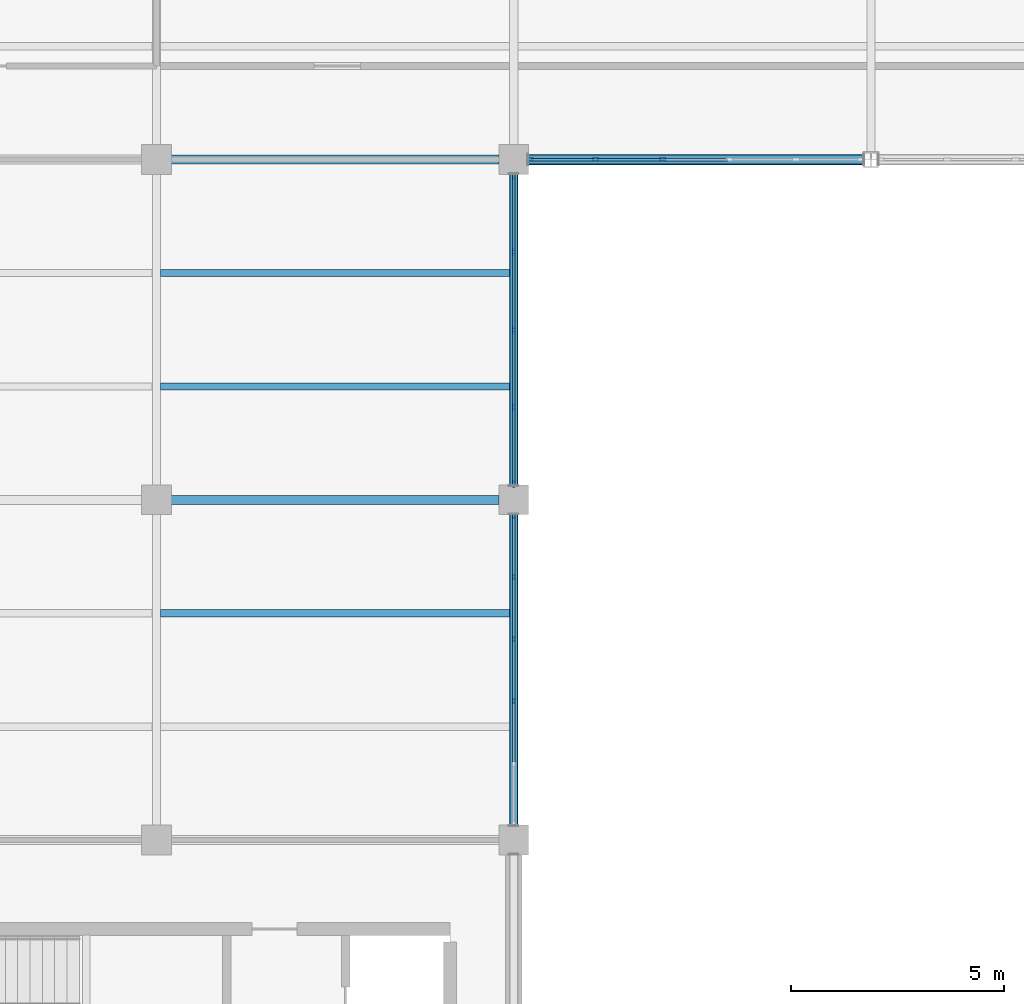
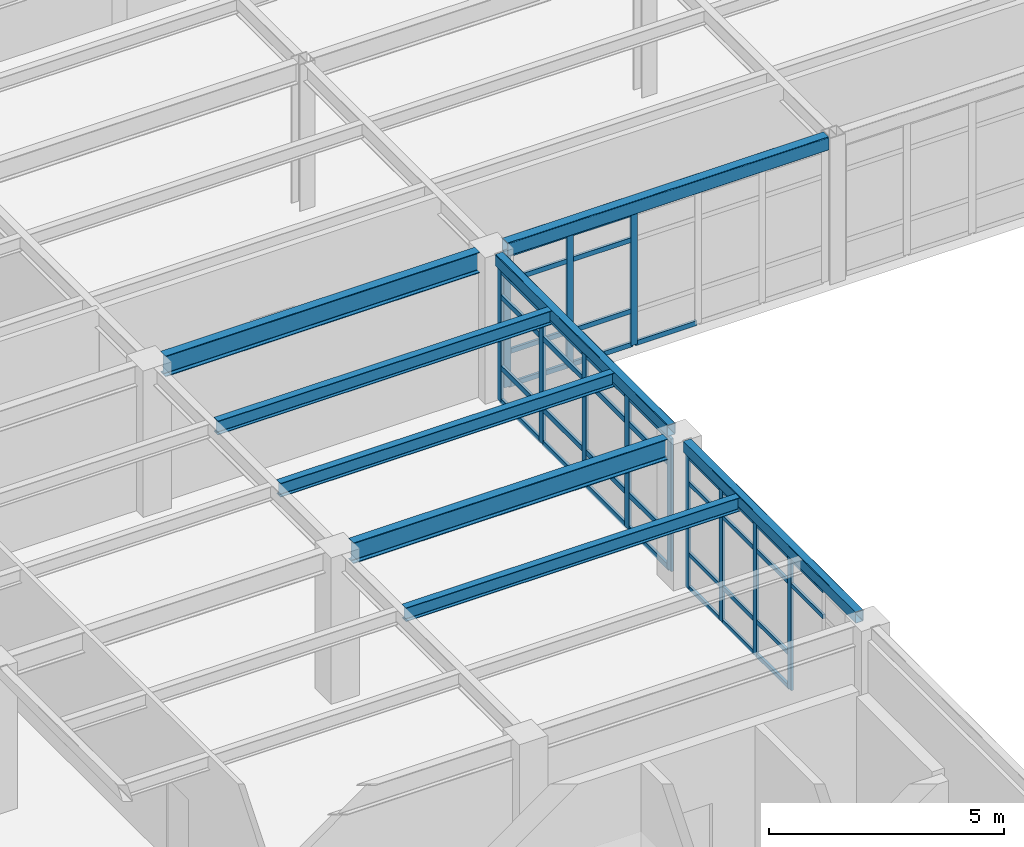
# One storey, part 48 of 138: 51 members, 8 beams, 3 elements without a shape of their own.
"""IFC4 building model written with IfcOpenShell, lengths in metres."""

import ifcopenshell
import ifcopenshell.guid

model = None  # the IFC model being written
_history = None  # IfcOwnerHistory: only IFC2X3 demands one
_inside = {}  # id of a spatial element -> (the spatial element, [elements in it])
_under = {}  # id of a project, library or spatial element -> (it, [spatial elements below it])
_declared = {}  # id of a project -> (the project, [libraries it declares])
_typed = {}  # id of a type object -> (the type object, [elements of that type])
_made_of = {}  # id of a material, layer set ... -> (it, [elements and type objects made of it])


def new_model(schema):
    """Start an empty IFC model of exactly this schema.

    Asked for "IFC4X3", IfcOpenShell would pick the latest addendum, in which some entities
    have other attributes; the version numbers below select the first issue.
    IFC2X3 requires an IfcOwnerHistory on every rooted entity: one is made here for all.
    """
    global model, _history
    if schema == "IFC4X3":
        model = ifcopenshell.file(schema_version=(4, 3, 0, 0))
    else:
        model = ifcopenshell.file(schema=schema)
    _inside.clear()
    _under.clear()
    _declared.clear()
    _typed.clear()
    _made_of.clear()
    _history = None
    if model.schema == "IFC2X3":
        org = make("IfcOrganization", Name="unknown")
        user = make(
            "IfcPersonAndOrganization",
            ThePerson=make("IfcPerson", FamilyName="unknown"),
            TheOrganization=org,
        )
        app = make(
            "IfcApplication",
            ApplicationDeveloper=org,
            Version="unknown",
            ApplicationFullName="unknown",
            ApplicationIdentifier="unknown",
        )
        _history = make(
            "IfcOwnerHistory",
            OwningUser=user,
            OwningApplication=app,
            ChangeAction="ADDED",
            CreationDate=0,
        )
    return model


def make(cls, **values):
    """One entity of the class cls with the attributes given. An attribute that is None is left unset."""
    return model.create_entity(
        cls, **{name: value for name, value in values.items() if value is not None}
    )


def rooted(cls, **values):
    """An entity with a GlobalId (a new one), such as an element, a storey or a relation."""
    return make(cls, GlobalId=ifcopenshell.guid.new(), OwnerHistory=_history, **values)


def si_unit(unit_type, name, prefix=None):
    """IfcSIUnit, for example si_unit("LENGTHUNIT", "METRE", prefix="MILLI")."""
    return make("IfcSIUnit", UnitType=unit_type, Prefix=prefix, Name=name)


def assignment(units):
    """IfcUnitAssignment: the units of a project."""
    return None if units is None else make("IfcUnitAssignment", Units=units)


def point(xyz):
    """IfcCartesianPoint."""
    return None if xyz is None else make("IfcCartesianPoint", Coordinates=xyz)


def direction(xyz):
    """IfcDirection."""
    return None if xyz is None else make("IfcDirection", DirectionRatios=xyz)


def frame(location, z_axis=None, x_axis=None):
    """IfcAxis2Placement3D, a coordinate frame: its origin and axes. An axis left out is left unset."""
    return make(
        "IfcAxis2Placement3D",
        Location=point(location),
        Axis=direction(z_axis),
        RefDirection=direction(x_axis),
    )


def frame_2d(location, x_axis=None):
    """IfcAxis2Placement2D, a coordinate frame in the plane: its origin and x axis."""
    return make(
        "IfcAxis2Placement2D", Location=point(location), RefDirection=direction(x_axis)
    )


def origin():
    """The frame at (0, 0, 0) with its axes left unset."""
    return frame((0.0, 0.0, 0.0))


def origin_2d():
    """The frame at (0, 0) in the plane with its x axis left unset."""
    return frame_2d((0.0, 0.0))


def place(relative_to, where):
    """IfcLocalPlacement: puts the frame where relative to a parent placement (None: the world)."""
    return make(
        "IfcLocalPlacement", PlacementRelTo=relative_to, RelativePlacement=where
    )


def context(
    kind, dimensions, precision=None, world=None, true_north=None, identifier=None
):
    """IfcGeometricRepresentationContext, for example the 3D "Model" context."""
    return make(
        "IfcGeometricRepresentationContext",
        ContextIdentifier=identifier,
        ContextType=kind,
        CoordinateSpaceDimension=dimensions,
        Precision=precision,
        WorldCoordinateSystem=world,
        TrueNorth=true_north,
    )


def subcontext(parent, identifier, kind, view, scale=None):
    """IfcGeometricRepresentationSubContext, for example "Body" below "Model"."""
    return make(
        "IfcGeometricRepresentationSubContext",
        ContextIdentifier=identifier,
        ContextType=kind,
        ParentContext=parent,
        TargetScale=scale,
        TargetView=view,
    )


def project(units=None, contexts=None):
    """IfcProject with its units and contexts."""
    return rooted(
        "IfcProject",
        Name="project",
        RepresentationContexts=contexts,
        UnitsInContext=assignment(units),
    )


def spatial(cls, under=None, at=None, **own):
    """A site, building, storey or space (cls), placed at a placement, below another one or the project."""
    s = rooted(cls, ObjectPlacement=at, **own)
    if under is not None:
        _under.setdefault(under.id(), (under, []))[1].append(s)
    return s


def profile(cls, at=None, kind="AREA", **sizes):
    """A parametric profile (cls). Its sizes go by their IFC names, for example OverallWidth=200.0."""
    return make(cls, ProfileType=kind, Position=at, **sizes)


def rectangle(**sizes):
    """IfcRectangleProfileDef."""
    return profile("IfcRectangleProfileDef", **sizes)


def hollow_rectangle(**sizes):
    """IfcRectangleHollowProfileDef."""
    return profile("IfcRectangleHollowProfileDef", **sizes)


def i_section(**sizes):
    """IfcIShapeProfileDef."""
    return profile("IfcIShapeProfileDef", **sizes)


def extrude(swept, where, along, depth):
    """IfcExtrudedAreaSolid: the profile swept, set in the frame where, extruded along a direction by depth."""
    return make(
        "IfcExtrudedAreaSolid",
        SweptArea=swept,
        Position=where,
        ExtrudedDirection=direction(along),
        Depth=depth,
    )


def shape(context_of_items, identifier, shape_type, items):
    """IfcShapeRepresentation: the items that make up one representation, for example the "Body"."""
    return make(
        "IfcShapeRepresentation",
        ContextOfItems=context_of_items,
        RepresentationIdentifier=identifier,
        RepresentationType=shape_type,
        Items=items,
    )


def material(Name=None, Category=None):
    """IfcMaterial."""
    return make("IfcMaterial", Name=Name, Category=Category)


def layer(
    of_material, thickness, ventilated=None, Name=None, Category=None, Priority=None
):
    """IfcMaterialLayer: one layer of a wall or slab, of a material (None: an air gap)."""
    return make(
        "IfcMaterialLayer",
        Material=of_material,
        LayerThickness=thickness,
        IsVentilated=ventilated,
        Name=Name,
        Category=Category,
        Priority=Priority,
    )


def layer_set(layers, Name=None):
    """IfcMaterialLayerSet."""
    return make("IfcMaterialLayerSet", MaterialLayers=layers, LayerSetName=Name)


def material_profile(
    of_material, cross_section, Name=None, Category=None, Priority=None
):
    """IfcMaterialProfile: a cross section and its material."""
    return make(
        "IfcMaterialProfile",
        Name=Name,
        Material=of_material,
        Profile=cross_section,
        Priority=Priority,
        Category=Category,
    )


def profile_set(profiles, Name=None, composite=None):
    """IfcMaterialProfileSet."""
    return make(
        "IfcMaterialProfileSet",
        Name=Name,
        MaterialProfiles=profiles,
        CompositeProfile=composite,
    )


def made_of(thing, what):
    """Note that an element or type object is made of a material, layer set ...; save() writes the relation."""
    if what is not None:
        _made_of.setdefault(what.id(), (what, []))[1].append(thing)
    return thing


def type_object(cls, material=None, **own):
    """A type object (cls), such as IfcWallType, which elements share."""
    return made_of(rooted(cls, **own), material)


def element(
    cls,
    number,
    at=None,
    inside=None,
    cuts=None,
    type_object=None,
    material=None,
    context=None,
    identifier="Body",
    shape_type=None,
    held_by="IfcProductDefinitionShape",
    body=None,
    shapes=None,
    **own,
):
    """One element of the class cls, such as IfcWall. Its Tag is "e" and its number.

    at: its placement. inside: the storey or other place that contains it. cuts: it is an
    opening in that element (IfcRelVoidsElement). A single representation is given by context,
    identifier, shape_type and body (its items); several are given by shapes. held_by: the class
    of the entity that holds the representations. save() writes the other relations.
    """
    e = rooted(cls, Tag="e%d" % number, ObjectPlacement=at, **own)
    if body is not None:
        shapes = [shape(context, identifier, shape_type, body)]
    if shapes is not None:
        e.Representation = make(held_by, Representations=shapes)
    if inside is not None:
        _inside.setdefault(inside.id(), (inside, []))[1].append(e)
    if cuts is not None:
        rooted(
            "IfcRelVoidsElement", RelatingBuildingElement=cuts, RelatedOpeningElement=e
        )
    if type_object is not None:
        _typed.setdefault(type_object.id(), (type_object, []))[1].append(e)
    return made_of(e, material)


def aggregate(whole, parts):
    """IfcRelAggregates: a whole, such as a stair, and the parts it consists of."""
    return rooted("IfcRelAggregates", RelatingObject=whole, RelatedObjects=parts)


def save(model, path):
    """Write the relations noted so far, then the file.

    IfcRelAggregates (storeys below a building ...), IfcRelContainedInSpatialStructure (elements
    in a storey), IfcRelDefinesByType, IfcRelAssociatesMaterial and IfcRelDeclares: one each for
    every whole, place, type object, material and project.
    """
    for whole, parts in _under.values():
        aggregate(whole, parts)
    for where, things in _inside.values():
        rooted(
            "IfcRelContainedInSpatialStructure",
            RelatedElements=things,
            RelatingStructure=where,
        )
    for kind, things in _typed.values():
        rooted("IfcRelDefinesByType", RelatedObjects=things, RelatingType=kind)
    for what, things in _made_of.values():
        rooted("IfcRelAssociatesMaterial", RelatedObjects=things, RelatingMaterial=what)
    for by, libraries in _declared.values():
        rooted("IfcRelDeclares", RelatingContext=by, RelatedDefinitions=libraries)
    model.write(path)


model = new_model("IFC4")

# Units and contexts
model_context = context("Model", 3, precision=1e-05, world=origin(), true_north=direction((0.0, 1.0)))
body_context = subcontext(model_context, "Body", "Model", "MODEL_VIEW")
ifc_project = project(units=[si_unit("LENGTHUNIT", "METRE"), si_unit("AREAUNIT", "SQUARE_METRE"), si_unit("VOLUMEUNIT", "CUBIC_METRE"), si_unit("PLANEANGLEUNIT", "RADIAN"), si_unit("MASSUNIT", "GRAM", prefix="KILO")], contexts=[model_context])

# Site, building, storey
site_placement = place(None, origin())
site = spatial("IfcSite", under=ifc_project, at=site_placement, CompositionType="ELEMENT")
building_placement = place(site_placement, origin())
building = spatial("IfcBuilding", under=site, at=building_placement, Name="Kranzveld Transit Interchange", CompositionType="ELEMENT")
storey_placement = place(building_placement, frame((0.0, 0.0, 5.43994140625)))
storey = spatial("IfcBuildingStorey", under=building, at=storey_placement, Name="L01", CompositionType="ELEMENT", Elevation=5.43994140625)

# Curtain wall, members
ifc_material_1 = material(Name="Bronze-anodised thermally broken aluminium", Category="aluminium")
ifc_layer_1 = layer(ifc_material_1, 0.14990234375)
ifc_layer_set_1 = layer_set([ifc_layer_1], Name="Bronze-anodised thermally broken aluminium")
curtain_wall_type_1 = type_object("IfcCurtainWallType", Name="Public Passage Clerestory Screen CW-4", PredefinedType="USERDEFINED", material=ifc_layer_set_1)
curtain_wall_1_placement = place(storey_placement, origin())
curtain_wall_1 = element("IfcCurtainWall", 1, at=curtain_wall_1_placement, inside=storey, type_object=curtain_wall_type_1, Name="L01 Curtain Wall 15/L-15/M", ObjectType="CURTAIN WALL", PredefinedType="USERDEFINED")
ifc_material_2 = material(Name="Bronze-anodised thermally broken aluminium", Category="aluminium")
ifc_material_profile_1 = material_profile(ifc_material_2, rectangle(XDim=0.06005859375, YDim=0.14990234375, at=origin_2d()), Name="ALU MULLION 60x150")
ifc_profile_set_1 = profile_set([ifc_material_profile_1], Name="Bronze-anodised thermally broken aluminium")
member_type_1 = type_object("IfcMemberType", Name="Curtain Wall Mullion 60x150 Alu", PredefinedType="MULLION", material=ifc_profile_set_1)
member_1_placement = place(storey_placement, frame((117.60009765625, 83.27001953125, 0.0), z_axis=(0.0, 0.0, 1.0), x_axis=(-1.0, 0.0, 0.0)))
member_1 = element("IfcMember", 2, at=member_1_placement, type_object=member_type_1, Name="CW-4 mullion 3", PredefinedType="MULLION", context=body_context, shape_type="SweptSolid", body=[
    extrude(rectangle(XDim=0.06005859375, YDim=0.14990234375, at=origin_2d()), origin(), (0.0, 0.0, 1.0), 3.442138671875),
])
member_2_placement = place(storey_placement, frame((117.60009765625, 84.72998046875, 0.0), z_axis=(0.0, 0.0, 1.0), x_axis=(-1.0, 0.0, 0.0)))
member_2 = element("IfcMember", 3, at=member_2_placement, type_object=member_type_1, Name="CW-4 mullion 4", PredefinedType="MULLION", context=body_context, shape_type="SweptSolid", body=[
    extrude(rectangle(XDim=0.06005859375, YDim=0.14990234375, at=origin_2d()), origin(), (0.0, 0.0, 1.0), 3.442138671875),
])
member_3_placement = place(storey_placement, frame((117.60009765625, 86.18994140625, 0.0), z_axis=(0.0, 0.0, 1.0), x_axis=(-1.0, 0.0, 0.0)))
member_3 = element("IfcMember", 4, at=member_3_placement, type_object=member_type_1, Name="CW-4 mullion 5", PredefinedType="MULLION", context=body_context, shape_type="SweptSolid", body=[
    extrude(rectangle(XDim=0.06005859375, YDim=0.14990234375, at=origin_2d()), origin(), (0.0, 0.0, 1.0), 3.442138671875),
])
member_4_placement = place(storey_placement, frame((117.60009765625, 87.6201171875, 0.0), z_axis=(0.0, 0.0, 1.0), x_axis=(-1.0, 0.0, 0.0)))
member_4 = element("IfcMember", 5, at=member_4_placement, type_object=member_type_1, Name="CW-4 mullion 6", PredefinedType="MULLION", context=body_context, shape_type="SweptSolid", body=[
    extrude(rectangle(XDim=0.06005859375, YDim=0.14990234375, at=origin_2d()), origin(), (0.0, 0.0, 1.0), 3.442138671875),
])

ifc_material_3 = material(Name="Bronze-anodised thermally broken aluminium", Category="aluminium")
ifc_layer_2 = layer(ifc_material_3, 0.155029296875)
ifc_layer_set_2 = layer_set([ifc_layer_2], Name="Bronze-anodised thermally broken aluminium")
curtain_wall_type_2 = type_object("IfcCurtainWallType", Name="Operations Courtyard Glazed Screen CW-6", PredefinedType="USERDEFINED", material=ifc_layer_set_2)
curtain_wall_2_placement = place(storey_placement, origin())
curtain_wall_2 = element("IfcCurtainWall", 6, at=curtain_wall_2_placement, inside=storey, type_object=curtain_wall_type_2, Name="L01 Curtain Wall 15/N-16/N", ObjectType="CURTAIN WALL", PredefinedType="USERDEFINED")
ifc_material_4 = material(Name="Bronze-anodised thermally broken aluminium", Category="aluminium")
ifc_material_profile_2 = material_profile(ifc_material_4, rectangle(XDim=0.06494140625, YDim=0.1650390625, at=origin_2d()), Name="ALU MULLION 65x165")
ifc_profile_set_2 = profile_set([ifc_material_profile_2], Name="Bronze-anodised thermally broken aluminium")
member_type_2 = type_object("IfcMemberType", Name="Curtain Wall Mullion 65x165 Alu", PredefinedType="MULLION", material=ifc_profile_set_2)
member_5_placement = place(storey_placement, frame((117.982421875, 96.0, 0.0), z_axis=(0.0, 0.0, 1.0), x_axis=(0.0, 1.0, 0.0)))
member_5 = element("IfcMember", 7, at=member_5_placement, type_object=member_type_2, Name="CW-6 mullion 1", PredefinedType="MULLION", context=body_context, shape_type="SweptSolid", body=[
    extrude(rectangle(XDim=0.06494140625, YDim=0.1650390625, at=origin_2d()), origin(), (0.0, 0.0, 1.0), 3.449951171875),
])
member_6_placement = place(storey_placement, frame((119.5224609375, 96.0, 0.0), z_axis=(0.0, 0.0, 1.0), x_axis=(0.0, 1.0, 0.0)))
member_6 = element("IfcMember", 8, at=member_6_placement, type_object=member_type_2, Name="CW-6 mullion 2", PredefinedType="MULLION", context=body_context, shape_type="SweptSolid", body=[
    extrude(rectangle(XDim=0.06494140625, YDim=0.1650390625, at=origin_2d()), origin(), (0.0, 0.0, 1.0), 3.449951171875),
])
member_7_placement = place(storey_placement, frame((121.094970703125, 96.0, 0.0), z_axis=(0.0, 0.0, 1.0), x_axis=(0.0, 1.0, 0.0)))
member_7 = element("IfcMember", 9, at=member_7_placement, type_object=member_type_2, Name="CW-6 mullion 3", PredefinedType="MULLION", context=body_context, shape_type="SweptSolid", body=[
    extrude(rectangle(XDim=0.06494140625, YDim=0.1650390625, at=origin_2d()), origin(), (0.0, 0.0, 1.0), 3.449951171875),
])

ifc_material_5 = material(Name="Bronze-anodised thermally broken aluminium", Category="aluminium")
ifc_layer_3 = layer(ifc_material_5, 0.18505859375)
ifc_layer_set_3 = layer_set([ifc_layer_3], Name="Bronze-anodised thermally broken aluminium")
curtain_wall_type_3 = type_object("IfcCurtainWallType", Name="Control Crown Observation Facade CW-5", PredefinedType="USERDEFINED", material=ifc_layer_set_3)
curtain_wall_3_placement = place(storey_placement, origin())
curtain_wall_3 = element("IfcCurtainWall", 10, at=curtain_wall_3_placement, inside=storey, type_object=curtain_wall_type_3, Name="L01 Curtain Wall 15/M-15/N", ObjectType="CURTAIN WALL", PredefinedType="USERDEFINED")
ifc_material_6 = material(Name="Bronze-anodised thermally broken aluminium", Category="aluminium")
ifc_material_profile_3 = material_profile(ifc_material_6, rectangle(XDim=0.06494140625, YDim=0.179931640625, at=origin_2d()), Name="ALU MULLION 65x180")
ifc_profile_set_3 = profile_set([ifc_material_profile_3], Name="Bronze-anodised thermally broken aluminium")
member_type_3 = type_object("IfcMemberType", Name="Curtain Wall Mullion 65x180 Alu", PredefinedType="MULLION", material=ifc_profile_set_3)
member_8_placement = place(storey_placement, frame((117.60009765625, 88.382568359375, 0.0), z_axis=(0.0, 0.0, 1.0), x_axis=(-1.0, 0.0, 0.0)))
member_8 = element("IfcMember", 11, at=member_8_placement, type_object=member_type_3, Name="CW-5 mullion 1", PredefinedType="MULLION", context=body_context, shape_type="SweptSolid", body=[
    extrude(rectangle(XDim=0.06494140625, YDim=0.179931640625, at=origin_2d()), origin(), (0.0, 0.0, 1.0), 3.442138671875),
])
member_9_placement = place(storey_placement, frame((117.60009765625, 90.175048828125, 0.0), z_axis=(0.0, 0.0, 1.0), x_axis=(-1.0, 0.0, 0.0)))
member_9 = element("IfcMember", 12, at=member_9_placement, type_object=member_type_3, Name="CW-5 mullion 2", PredefinedType="MULLION", context=body_context, shape_type="SweptSolid", body=[
    extrude(rectangle(XDim=0.06494140625, YDim=0.179931640625, at=origin_2d()), origin(), (0.0, 0.0, 1.0), 3.442138671875),
])
member_10_placement = place(storey_placement, frame((117.60009765625, 92.0, 0.0), z_axis=(0.0, 0.0, 1.0), x_axis=(-1.0, 0.0, 0.0)))
member_10 = element("IfcMember", 13, at=member_10_placement, type_object=member_type_3, Name="CW-5 mullion 3", PredefinedType="MULLION", context=body_context, shape_type="SweptSolid", body=[
    extrude(rectangle(XDim=0.06494140625, YDim=0.179931640625, at=origin_2d()), origin(), (0.0, 0.0, 1.0), 3.442138671875),
])
member_11_placement = place(storey_placement, frame((117.60009765625, 93.824951171875, 0.0), z_axis=(0.0, 0.0, 1.0), x_axis=(-1.0, 0.0, 0.0)))
member_11 = element("IfcMember", 14, at=member_11_placement, type_object=member_type_3, Name="CW-5 mullion 4", PredefinedType="MULLION", context=body_context, shape_type="SweptSolid", body=[
    extrude(rectangle(XDim=0.06494140625, YDim=0.179931640625, at=origin_2d()), origin(), (0.0, 0.0, 1.0), 3.442138671875),
])
member_12_placement = place(storey_placement, frame((117.60009765625, 95.617431640625, 0.0), z_axis=(0.0, 0.0, 1.0), x_axis=(-1.0, 0.0, 0.0)))
member_12 = element("IfcMember", 15, at=member_12_placement, type_object=member_type_3, Name="CW-5 mullion 5", PredefinedType="MULLION", context=body_context, shape_type="SweptSolid", body=[
    extrude(rectangle(XDim=0.06494140625, YDim=0.179931640625, at=origin_2d()), origin(), (0.0, 0.0, 1.0), 3.442138671875),
])

# Member
ifc_material_7 = material(Name="Bronze-anodised thermally broken aluminium", Category="aluminium")
ifc_material_profile_4 = material_profile(ifc_material_7, rectangle(XDim=0.06005859375, YDim=0.110107421875, at=origin_2d()), Name="ALU TRANSOM 60x110")
ifc_profile_set_4 = profile_set([ifc_material_profile_4], Name="Bronze-anodised thermally broken aluminium")
member_type_4 = type_object("IfcMemberType", Name="Curtain Wall Transom 60x110 Alu", PredefinedType="USERDEFINED", material=ifc_profile_set_4)
member_13_placement = place(storey_placement, frame((117.60009765625, 81.840087890625, 2.741943359375), z_axis=(0.0, 1.0, 0.0), x_axis=(-1.0, 0.0, 0.0)))
member_13 = element("IfcMember", 16, at=member_13_placement, type_object=member_type_4, Name="CW-4 transom 2.3", ObjectType="TRANSOM", PredefinedType="USERDEFINED", context=body_context, shape_type="SweptSolid", body=[
    extrude(rectangle(XDim=0.06005859375, YDim=0.110107421875, at=origin_2d()), origin(), (0.0, 0.0, 1.0), 1.39990234375),
])

member_14_placement = place(storey_placement, frame((117.60009765625, 81.840087890625, 3.412109375), z_axis=(0.0, 1.0, 0.0), x_axis=(-1.0, 0.0, 0.0)))
member_14 = element("IfcMember", 17, at=member_14_placement, type_object=member_type_4, Name="CW-4 transom 2.4", ObjectType="TRANSOM", PredefinedType="USERDEFINED", context=body_context, shape_type="SweptSolid", body=[
    extrude(rectangle(XDim=0.06005859375, YDim=0.110107421875, at=origin_2d()), origin(), (0.0, 0.0, 1.0), 1.39990234375),
])

member_15_placement = place(storey_placement, frame((117.60009765625, 83.300048828125, 0.030029296875), z_axis=(0.0, 1.0, 0.0), x_axis=(-1.0, 0.0, 0.0)))
member_15 = element("IfcMember", 18, at=member_15_placement, type_object=member_type_4, Name="CW-4 transom 3.1", ObjectType="TRANSOM", PredefinedType="USERDEFINED", context=body_context, shape_type="SweptSolid", body=[
    extrude(rectangle(XDim=0.06005859375, YDim=0.110107421875, at=origin_2d()), origin(), (0.0, 0.0, 1.0), 1.39990234375),
])

member_16_placement = place(storey_placement, frame((117.60009765625, 83.300048828125, 0.900146484375), z_axis=(0.0, 1.0, 0.0), x_axis=(-1.0, 0.0, 0.0)))
member_16 = element("IfcMember", 19, at=member_16_placement, type_object=member_type_4, Name="CW-4 transom 3.2", ObjectType="TRANSOM", PredefinedType="USERDEFINED", context=body_context, shape_type="SweptSolid", body=[
    extrude(rectangle(XDim=0.06005859375, YDim=0.110107421875, at=origin_2d()), origin(), (0.0, 0.0, 1.0), 1.39990234375),
])

member_17_placement = place(storey_placement, frame((117.60009765625, 83.300048828125, 2.741943359375), z_axis=(0.0, 1.0, 0.0), x_axis=(-1.0, 0.0, 0.0)))
member_17 = element("IfcMember", 20, at=member_17_placement, type_object=member_type_4, Name="CW-4 transom 3.3", ObjectType="TRANSOM", PredefinedType="USERDEFINED", context=body_context, shape_type="SweptSolid", body=[
    extrude(rectangle(XDim=0.06005859375, YDim=0.110107421875, at=origin_2d()), origin(), (0.0, 0.0, 1.0), 1.39990234375),
])

member_18_placement = place(storey_placement, frame((117.60009765625, 83.300048828125, 3.412109375), z_axis=(0.0, 1.0, 0.0), x_axis=(-1.0, 0.0, 0.0)))
member_18 = element("IfcMember", 21, at=member_18_placement, type_object=member_type_4, Name="CW-4 transom 3.4", ObjectType="TRANSOM", PredefinedType="USERDEFINED", context=body_context, shape_type="SweptSolid", body=[
    extrude(rectangle(XDim=0.06005859375, YDim=0.110107421875, at=origin_2d()), origin(), (0.0, 0.0, 1.0), 1.39990234375),
])

member_19_placement = place(storey_placement, frame((117.60009765625, 84.760009765625, 0.030029296875), z_axis=(0.0, 1.0, 0.0), x_axis=(-1.0, 0.0, 0.0)))
member_19 = element("IfcMember", 22, at=member_19_placement, type_object=member_type_4, Name="CW-4 transom 4.1", ObjectType="TRANSOM", PredefinedType="USERDEFINED", context=body_context, shape_type="SweptSolid", body=[
    extrude(rectangle(XDim=0.06005859375, YDim=0.110107421875, at=origin_2d()), origin(), (0.0, 0.0, 1.0), 1.39990234375),
])

member_20_placement = place(storey_placement, frame((117.60009765625, 84.760009765625, 0.900146484375), z_axis=(0.0, 1.0, 0.0), x_axis=(-1.0, 0.0, 0.0)))
member_20 = element("IfcMember", 23, at=member_20_placement, type_object=member_type_4, Name="CW-4 transom 4.2", ObjectType="TRANSOM", PredefinedType="USERDEFINED", context=body_context, shape_type="SweptSolid", body=[
    extrude(rectangle(XDim=0.06005859375, YDim=0.110107421875, at=origin_2d()), origin(), (0.0, 0.0, 1.0), 1.39990234375),
])

member_21_placement = place(storey_placement, frame((117.60009765625, 84.760009765625, 2.741943359375), z_axis=(0.0, 1.0, 0.0), x_axis=(-1.0, 0.0, 0.0)))
member_21 = element("IfcMember", 24, at=member_21_placement, type_object=member_type_4, Name="CW-4 transom 4.3", ObjectType="TRANSOM", PredefinedType="USERDEFINED", context=body_context, shape_type="SweptSolid", body=[
    extrude(rectangle(XDim=0.06005859375, YDim=0.110107421875, at=origin_2d()), origin(), (0.0, 0.0, 1.0), 1.39990234375),
])

member_22_placement = place(storey_placement, frame((117.60009765625, 84.760009765625, 3.412109375), z_axis=(0.0, 1.0, 0.0), x_axis=(-1.0, 0.0, 0.0)))
member_22 = element("IfcMember", 25, at=member_22_placement, type_object=member_type_4, Name="CW-4 transom 4.4", ObjectType="TRANSOM", PredefinedType="USERDEFINED", context=body_context, shape_type="SweptSolid", body=[
    extrude(rectangle(XDim=0.06005859375, YDim=0.110107421875, at=origin_2d()), origin(), (0.0, 0.0, 1.0), 1.39990234375),
])

member_23_placement = place(storey_placement, frame((117.60009765625, 86.219970703125, 0.030029296875), z_axis=(0.0, 1.0, 0.0), x_axis=(-1.0, 0.0, 0.0)))
member_23 = element("IfcMember", 26, at=member_23_placement, type_object=member_type_4, Name="CW-4 transom 5.1", ObjectType="TRANSOM", PredefinedType="USERDEFINED", context=body_context, shape_type="SweptSolid", body=[
    extrude(rectangle(XDim=0.06005859375, YDim=0.110107421875, at=origin_2d()), origin(), (0.0, 0.0, 1.0), 1.3701171875),
])

member_24_placement = place(storey_placement, frame((117.60009765625, 86.219970703125, 0.900146484375), z_axis=(0.0, 1.0, 0.0), x_axis=(-1.0, 0.0, 0.0)))
member_24 = element("IfcMember", 27, at=member_24_placement, type_object=member_type_4, Name="CW-4 transom 5.2", ObjectType="TRANSOM", PredefinedType="USERDEFINED", context=body_context, shape_type="SweptSolid", body=[
    extrude(rectangle(XDim=0.06005859375, YDim=0.110107421875, at=origin_2d()), origin(), (0.0, 0.0, 1.0), 1.3701171875),
])

member_25_placement = place(storey_placement, frame((117.60009765625, 86.219970703125, 2.741943359375), z_axis=(0.0, 1.0, 0.0), x_axis=(-1.0, 0.0, 0.0)))
member_25 = element("IfcMember", 28, at=member_25_placement, type_object=member_type_4, Name="CW-4 transom 5.3", ObjectType="TRANSOM", PredefinedType="USERDEFINED", context=body_context, shape_type="SweptSolid", body=[
    extrude(rectangle(XDim=0.06005859375, YDim=0.110107421875, at=origin_2d()), origin(), (0.0, 0.0, 1.0), 1.3701171875),
])

member_26_placement = place(storey_placement, frame((117.60009765625, 86.219970703125, 3.412109375), z_axis=(0.0, 1.0, 0.0), x_axis=(-1.0, 0.0, 0.0)))
member_26 = element("IfcMember", 29, at=member_26_placement, type_object=member_type_4, Name="CW-4 transom 5.4", ObjectType="TRANSOM", PredefinedType="USERDEFINED", context=body_context, shape_type="SweptSolid", body=[
    extrude(rectangle(XDim=0.06005859375, YDim=0.110107421875, at=origin_2d()), origin(), (0.0, 0.0, 1.0), 1.3701171875),
])

aggregate(curtain_wall_1, [member_1, member_2, member_3, member_4, member_13, member_14, member_15, member_16, member_17, member_18, member_19, member_20, member_21, member_22, member_23, member_24, member_25, member_26])

ifc_material_8 = material(Name="Bronze-anodised thermally broken aluminium", Category="aluminium")
ifc_material_profile_5 = material_profile(ifc_material_8, rectangle(XDim=0.06005859375, YDim=0.125, at=origin_2d()), Name="ALU TRANSOM 60x125")
ifc_profile_set_5 = profile_set([ifc_material_profile_5], Name="Bronze-anodised thermally broken aluminium")
member_type_5 = type_object("IfcMemberType", Name="Curtain Wall Transom 60x125 Alu", PredefinedType="USERDEFINED", material=ifc_profile_set_5)
member_27_placement = place(storey_placement, frame((118.014892578125, 96.0, 0.030029296875), z_axis=(1.0, 0.0, 0.0), x_axis=(0.0, 1.0, 0.0)))
member_27 = element("IfcMember", 30, at=member_27_placement, type_object=member_type_5, Name="CW-6 transom 1.1", ObjectType="TRANSOM", PredefinedType="USERDEFINED", context=body_context, shape_type="SweptSolid", body=[
    extrude(rectangle(XDim=0.06005859375, YDim=0.125, at=origin_2d()), origin(), (0.0, 0.0, 1.0), 1.47509765625),
])

member_28_placement = place(storey_placement, frame((118.014892578125, 96.0, 0.900146484375), z_axis=(1.0, 0.0, 0.0), x_axis=(0.0, 1.0, 0.0)))
member_28 = element("IfcMember", 31, at=member_28_placement, type_object=member_type_5, Name="CW-6 transom 1.2", ObjectType="TRANSOM", PredefinedType="USERDEFINED", context=body_context, shape_type="SweptSolid", body=[
    extrude(rectangle(XDim=0.06005859375, YDim=0.125, at=origin_2d()), origin(), (0.0, 0.0, 1.0), 1.47509765625),
])

member_29_placement = place(storey_placement, frame((118.014892578125, 96.0, 2.75), z_axis=(1.0, 0.0, 0.0), x_axis=(0.0, 1.0, 0.0)))
member_29 = element("IfcMember", 32, at=member_29_placement, type_object=member_type_5, Name="CW-6 transom 1.3", ObjectType="TRANSOM", PredefinedType="USERDEFINED", context=body_context, shape_type="SweptSolid", body=[
    extrude(rectangle(XDim=0.06005859375, YDim=0.125, at=origin_2d()), origin(), (0.0, 0.0, 1.0), 1.47509765625),
])

member_30_placement = place(storey_placement, frame((118.014892578125, 96.0, 3.420166015625), z_axis=(1.0, 0.0, 0.0), x_axis=(0.0, 1.0, 0.0)))
member_30 = element("IfcMember", 33, at=member_30_placement, type_object=member_type_5, Name="CW-6 transom 1.4", ObjectType="TRANSOM", PredefinedType="USERDEFINED", context=body_context, shape_type="SweptSolid", body=[
    extrude(rectangle(XDim=0.06005859375, YDim=0.125, at=origin_2d()), origin(), (0.0, 0.0, 1.0), 1.47509765625),
])

member_31_placement = place(storey_placement, frame((119.554931640625, 96.0, 0.030029296875), z_axis=(1.0, 0.0, 0.0), x_axis=(0.0, 1.0, 0.0)))
member_31 = element("IfcMember", 34, at=member_31_placement, type_object=member_type_5, Name="CW-6 transom 2.1", ObjectType="TRANSOM", PredefinedType="USERDEFINED", context=body_context, shape_type="SweptSolid", body=[
    extrude(rectangle(XDim=0.06005859375, YDim=0.125, at=origin_2d()), origin(), (0.0, 0.0, 1.0), 1.507568359375),
])

member_32_placement = place(storey_placement, frame((119.554931640625, 96.0, 0.900146484375), z_axis=(1.0, 0.0, 0.0), x_axis=(0.0, 1.0, 0.0)))
member_32 = element("IfcMember", 35, at=member_32_placement, type_object=member_type_5, Name="CW-6 transom 2.2", ObjectType="TRANSOM", PredefinedType="USERDEFINED", context=body_context, shape_type="SweptSolid", body=[
    extrude(rectangle(XDim=0.06005859375, YDim=0.125, at=origin_2d()), origin(), (0.0, 0.0, 1.0), 1.507568359375),
])

member_33_placement = place(storey_placement, frame((119.554931640625, 96.0, 2.75), z_axis=(1.0, 0.0, 0.0), x_axis=(0.0, 1.0, 0.0)))
member_33 = element("IfcMember", 36, at=member_33_placement, type_object=member_type_5, Name="CW-6 transom 2.3", ObjectType="TRANSOM", PredefinedType="USERDEFINED", context=body_context, shape_type="SweptSolid", body=[
    extrude(rectangle(XDim=0.06005859375, YDim=0.125, at=origin_2d()), origin(), (0.0, 0.0, 1.0), 1.507568359375),
])

member_34_placement = place(storey_placement, frame((119.554931640625, 96.0, 3.420166015625), z_axis=(1.0, 0.0, 0.0), x_axis=(0.0, 1.0, 0.0)))
member_34 = element("IfcMember", 37, at=member_34_placement, type_object=member_type_5, Name="CW-6 transom 2.4", ObjectType="TRANSOM", PredefinedType="USERDEFINED", context=body_context, shape_type="SweptSolid", body=[
    extrude(rectangle(XDim=0.06005859375, YDim=0.125, at=origin_2d()), origin(), (0.0, 0.0, 1.0), 1.507568359375),
])

member_35_placement = place(storey_placement, frame((121.127685546875, 96.0, 0.030029296875), z_axis=(1.0, 0.0, 0.0), x_axis=(0.0, 1.0, 0.0)))
member_35 = element("IfcMember", 38, at=member_35_placement, type_object=member_type_5, Name="CW-6 transom 3.1", ObjectType="TRANSOM", PredefinedType="USERDEFINED", context=body_context, shape_type="SweptSolid", body=[
    extrude(rectangle(XDim=0.06005859375, YDim=0.125, at=origin_2d()), origin(), (0.0, 0.0, 1.0), 1.50732421875),
])

aggregate(curtain_wall_2, [member_5, member_6, member_7, member_27, member_28, member_29, member_30, member_31, member_32, member_33, member_34, member_35])

ifc_material_9 = material(Name="Bronze-anodised thermally broken aluminium", Category="aluminium")
ifc_material_profile_6 = material_profile(ifc_material_9, rectangle(XDim=0.06494140625, YDim=0.139892578125, at=origin_2d()), Name="ALU TRANSOM 65x140")
ifc_profile_set_6 = profile_set([ifc_material_profile_6], Name="Bronze-anodised thermally broken aluminium")
member_type_6 = type_object("IfcMemberType", Name="Curtain Wall Transom 65x140 Alu", PredefinedType="USERDEFINED", material=ifc_profile_set_6)
member_36_placement = place(storey_placement, frame((117.60009765625, 88.4150390625, 0.032470703125), z_axis=(0.0, 1.0, 0.0), x_axis=(-1.0, 0.0, 0.0)))
member_36 = element("IfcMember", 39, at=member_36_placement, type_object=member_type_6, Name="CW-5 transom 1.1", ObjectType="TRANSOM", PredefinedType="USERDEFINED", context=body_context, shape_type="SweptSolid", body=[
    extrude(rectangle(XDim=0.06494140625, YDim=0.139892578125, at=origin_2d()), origin(), (0.0, 0.0, 1.0), 1.7275390625),
])

member_37_placement = place(storey_placement, frame((117.60009765625, 88.4150390625, 0.900146484375), z_axis=(0.0, 1.0, 0.0), x_axis=(-1.0, 0.0, 0.0)))
member_37 = element("IfcMember", 40, at=member_37_placement, type_object=member_type_6, Name="CW-5 transom 1.2", ObjectType="TRANSOM", PredefinedType="USERDEFINED", context=body_context, shape_type="SweptSolid", body=[
    extrude(rectangle(XDim=0.06494140625, YDim=0.139892578125, at=origin_2d()), origin(), (0.0, 0.0, 1.0), 1.7275390625),
])

member_38_placement = place(storey_placement, frame((117.60009765625, 88.4150390625, 2.741943359375), z_axis=(0.0, 1.0, 0.0), x_axis=(-1.0, 0.0, 0.0)))
member_38 = element("IfcMember", 41, at=member_38_placement, type_object=member_type_6, Name="CW-5 transom 1.3", ObjectType="TRANSOM", PredefinedType="USERDEFINED", context=body_context, shape_type="SweptSolid", body=[
    extrude(rectangle(XDim=0.06494140625, YDim=0.139892578125, at=origin_2d()), origin(), (0.0, 0.0, 1.0), 1.7275390625),
])

member_39_placement = place(storey_placement, frame((117.60009765625, 88.4150390625, 3.40966796875), z_axis=(0.0, 1.0, 0.0), x_axis=(-1.0, 0.0, 0.0)))
member_39 = element("IfcMember", 42, at=member_39_placement, type_object=member_type_6, Name="CW-5 transom 1.4", ObjectType="TRANSOM", PredefinedType="USERDEFINED", context=body_context, shape_type="SweptSolid", body=[
    extrude(rectangle(XDim=0.06494140625, YDim=0.139892578125, at=origin_2d()), origin(), (0.0, 0.0, 1.0), 1.7275390625),
])

member_40_placement = place(storey_placement, frame((117.60009765625, 90.20751953125, 0.032470703125), z_axis=(0.0, 1.0, 0.0), x_axis=(-1.0, 0.0, 0.0)))
member_40 = element("IfcMember", 43, at=member_40_placement, type_object=member_type_6, Name="CW-5 transom 2.1", ObjectType="TRANSOM", PredefinedType="USERDEFINED", context=body_context, shape_type="SweptSolid", body=[
    extrude(rectangle(XDim=0.06494140625, YDim=0.139892578125, at=origin_2d()), origin(), (0.0, 0.0, 1.0), 1.760009765625),
])

member_41_placement = place(storey_placement, frame((117.60009765625, 90.20751953125, 0.900146484375), z_axis=(0.0, 1.0, 0.0), x_axis=(-1.0, 0.0, 0.0)))
member_41 = element("IfcMember", 44, at=member_41_placement, type_object=member_type_6, Name="CW-5 transom 2.2", ObjectType="TRANSOM", PredefinedType="USERDEFINED", context=body_context, shape_type="SweptSolid", body=[
    extrude(rectangle(XDim=0.06494140625, YDim=0.139892578125, at=origin_2d()), origin(), (0.0, 0.0, 1.0), 1.760009765625),
])

member_42_placement = place(storey_placement, frame((117.60009765625, 90.20751953125, 2.741943359375), z_axis=(0.0, 1.0, 0.0), x_axis=(-1.0, 0.0, 0.0)))
member_42 = element("IfcMember", 45, at=member_42_placement, type_object=member_type_6, Name="CW-5 transom 2.3", ObjectType="TRANSOM", PredefinedType="USERDEFINED", context=body_context, shape_type="SweptSolid", body=[
    extrude(rectangle(XDim=0.06494140625, YDim=0.139892578125, at=origin_2d()), origin(), (0.0, 0.0, 1.0), 1.760009765625),
])

member_43_placement = place(storey_placement, frame((117.60009765625, 90.20751953125, 3.40966796875), z_axis=(0.0, 1.0, 0.0), x_axis=(-1.0, 0.0, 0.0)))
member_43 = element("IfcMember", 46, at=member_43_placement, type_object=member_type_6, Name="CW-5 transom 2.4", ObjectType="TRANSOM", PredefinedType="USERDEFINED", context=body_context, shape_type="SweptSolid", body=[
    extrude(rectangle(XDim=0.06494140625, YDim=0.139892578125, at=origin_2d()), origin(), (0.0, 0.0, 1.0), 1.760009765625),
])

member_44_placement = place(storey_placement, frame((117.60009765625, 92.032470703125, 0.032470703125), z_axis=(0.0, 1.0, 0.0), x_axis=(-1.0, 0.0, 0.0)))
member_44 = element("IfcMember", 47, at=member_44_placement, type_object=member_type_6, Name="CW-5 transom 3.1", ObjectType="TRANSOM", PredefinedType="USERDEFINED", context=body_context, shape_type="SweptSolid", body=[
    extrude(rectangle(XDim=0.06494140625, YDim=0.139892578125, at=origin_2d()), origin(), (0.0, 0.0, 1.0), 1.760009765625),
])

member_45_placement = place(storey_placement, frame((117.60009765625, 92.032470703125, 0.900146484375), z_axis=(0.0, 1.0, 0.0), x_axis=(-1.0, 0.0, 0.0)))
member_45 = element("IfcMember", 48, at=member_45_placement, type_object=member_type_6, Name="CW-5 transom 3.2", ObjectType="TRANSOM", PredefinedType="USERDEFINED", context=body_context, shape_type="SweptSolid", body=[
    extrude(rectangle(XDim=0.06494140625, YDim=0.139892578125, at=origin_2d()), origin(), (0.0, 0.0, 1.0), 1.760009765625),
])

member_46_placement = place(storey_placement, frame((117.60009765625, 92.032470703125, 2.741943359375), z_axis=(0.0, 1.0, 0.0), x_axis=(-1.0, 0.0, 0.0)))
member_46 = element("IfcMember", 49, at=member_46_placement, type_object=member_type_6, Name="CW-5 transom 3.3", ObjectType="TRANSOM", PredefinedType="USERDEFINED", context=body_context, shape_type="SweptSolid", body=[
    extrude(rectangle(XDim=0.06494140625, YDim=0.139892578125, at=origin_2d()), origin(), (0.0, 0.0, 1.0), 1.760009765625),
])

member_47_placement = place(storey_placement, frame((117.60009765625, 92.032470703125, 3.40966796875), z_axis=(0.0, 1.0, 0.0), x_axis=(-1.0, 0.0, 0.0)))
member_47 = element("IfcMember", 50, at=member_47_placement, type_object=member_type_6, Name="CW-5 transom 3.4", ObjectType="TRANSOM", PredefinedType="USERDEFINED", context=body_context, shape_type="SweptSolid", body=[
    extrude(rectangle(XDim=0.06494140625, YDim=0.139892578125, at=origin_2d()), origin(), (0.0, 0.0, 1.0), 1.760009765625),
])

member_48_placement = place(storey_placement, frame((117.60009765625, 93.857421875, 0.032470703125), z_axis=(0.0, 1.0, 0.0), x_axis=(-1.0, 0.0, 0.0)))
member_48 = element("IfcMember", 51, at=member_48_placement, type_object=member_type_6, Name="CW-5 transom 4.1", ObjectType="TRANSOM", PredefinedType="USERDEFINED", context=body_context, shape_type="SweptSolid", body=[
    extrude(rectangle(XDim=0.06494140625, YDim=0.139892578125, at=origin_2d()), origin(), (0.0, 0.0, 1.0), 1.7275390625),
])

member_49_placement = place(storey_placement, frame((117.60009765625, 93.857421875, 0.900146484375), z_axis=(0.0, 1.0, 0.0), x_axis=(-1.0, 0.0, 0.0)))
member_49 = element("IfcMember", 52, at=member_49_placement, type_object=member_type_6, Name="CW-5 transom 4.2", ObjectType="TRANSOM", PredefinedType="USERDEFINED", context=body_context, shape_type="SweptSolid", body=[
    extrude(rectangle(XDim=0.06494140625, YDim=0.139892578125, at=origin_2d()), origin(), (0.0, 0.0, 1.0), 1.7275390625),
])

member_50_placement = place(storey_placement, frame((117.60009765625, 93.857421875, 2.741943359375), z_axis=(0.0, 1.0, 0.0), x_axis=(-1.0, 0.0, 0.0)))
member_50 = element("IfcMember", 53, at=member_50_placement, type_object=member_type_6, Name="CW-5 transom 4.3", ObjectType="TRANSOM", PredefinedType="USERDEFINED", context=body_context, shape_type="SweptSolid", body=[
    extrude(rectangle(XDim=0.06494140625, YDim=0.139892578125, at=origin_2d()), origin(), (0.0, 0.0, 1.0), 1.7275390625),
])

member_51_placement = place(storey_placement, frame((117.60009765625, 93.857421875, 3.40966796875), z_axis=(0.0, 1.0, 0.0), x_axis=(-1.0, 0.0, 0.0)))
member_51 = element("IfcMember", 54, at=member_51_placement, type_object=member_type_6, Name="CW-5 transom 4.4", ObjectType="TRANSOM", PredefinedType="USERDEFINED", context=body_context, shape_type="SweptSolid", body=[
    extrude(rectangle(XDim=0.06494140625, YDim=0.139892578125, at=origin_2d()), origin(), (0.0, 0.0, 1.0), 1.7275390625),
])

aggregate(curtain_wall_3, [member_8, member_9, member_10, member_11, member_12, member_36, member_37, member_38, member_39, member_40, member_41, member_42, member_43, member_44, member_45, member_46, member_47, member_48, member_49, member_50, member_51])

# Beams
ifc_material_10 = material(Name="Steel S355JR", Category="steel")
ifc_material_profile_7 = material_profile(ifc_material_10, hollow_rectangle(XDim=0.199951171875, YDim=0.300048828125, WallThickness=0.010009765625, InnerFilletRadius=0.014892578125, OuterFilletRadius=0.02490234375, at=origin_2d()), Name="RHS 300x200x10")
ifc_profile_set_7 = profile_set([ifc_material_profile_7], Name="Steel S355JR")
beam_type_1 = type_object("IfcBeamType", Name="Edge Spandrel RHS 300x200x10 S355JR", PredefinedType="SPANDREL", material=ifc_profile_set_7)
for number, where, z_axis, x_axis, name in (
    (55, (117.60009765625, 80.340087890625, 3.650146484375), (0.0, 1.0, 0.0), (-1.0, 0.0, 0.0), "L01 Girder 15/L-M"),
    (56, (117.60009765625, 88.340087890625, 3.650146484375), (0.0, 1.0, 0.0), (-1.0, 0.0, 0.0), "L01 Girder 15/M-N"),
):
    element("IfcBeam", number, at=place(storey_placement, frame(where, z_axis=z_axis, x_axis=x_axis)), inside=storey, type_object=beam_type_1, Name=name, PredefinedType="SPANDREL", context=body_context, shape_type="SweptSolid", body=[
        extrude(hollow_rectangle(XDim=0.199951171875, YDim=0.300048828125, WallThickness=0.010009765625, InnerFilletRadius=0.014892578125, OuterFilletRadius=0.02490234375, at=origin_2d()), origin(), (0.0, 0.0, 1.0), 7.31982421875),
    ])
ifc_material_11 = material(Name="Steel S355JR", Category="steel")
ifc_material_profile_8 = material_profile(ifc_material_11, hollow_rectangle(XDim=0.25, YDim=0.35009765625, WallThickness=0.012451171875, InnerFilletRadius=0.018798828125, OuterFilletRadius=0.03125, at=origin_2d()), Name="RHS 350x250x12.5")
ifc_profile_set_8 = profile_set([ifc_material_profile_8], Name="Steel S355JR")
beam_type_2 = type_object("IfcBeamType", Name="Edge Spandrel RHS 350x250x12.5 S355JR", PredefinedType="SPANDREL", material=ifc_profile_set_8)
beam_placement = place(storey_placement, frame((117.93994140625, 96.0, 3.625), z_axis=(1.0, 0.0, 0.0), x_axis=(0.0, 1.0, 0.0)))
element("IfcBeam", 57, at=beam_placement, inside=storey, type_object=beam_type_2, Name="L01 Girder 15-16/N", PredefinedType="SPANDREL", context=body_context, shape_type="SweptSolid", body=[
    extrude(hollow_rectangle(XDim=0.25, YDim=0.35009765625, WallThickness=0.012451171875, InnerFilletRadius=0.018798828125, OuterFilletRadius=0.03125, at=origin_2d()), origin(), (0.0, 0.0, 1.0), 7.8828125),
])
ifc_material_12 = material(Name="Steel S355JR", Category="steel")
ifc_material_profile_9 = material_profile(ifc_material_12, i_section(OverallWidth=0.172119140625, OverallDepth=0.35791015625, WebThickness=0.008056640625, FlangeThickness=0.012939453125, FilletRadius=0.01025390625, at=origin_2d()), Name="UB 356x171x57")
ifc_profile_set_9 = profile_set([ifc_material_profile_9], Name="Steel S355JR")
beam_type_3 = type_object("IfcBeamType", Name="Floor Joist UB 356x171x57 S355JR", PredefinedType="JOIST", material=ifc_profile_set_9)
for number, where, z_axis, x_axis, name in (
    (58, (109.2978515625, 85.333251953125, 3.62109375), (1.0, 0.0, 0.0), (0.0, 1.0, 0.0), "L01 Secondary Joist 14-15/L.2"),
    (59, (109.2978515625, 90.666748046875, 3.62109375), (1.0, 0.0, 0.0), (0.0, 1.0, 0.0), "L01 Secondary Joist 14-15/M.1"),
    (60, (109.2978515625, 93.333251953125, 3.62109375), (1.0, 0.0, 0.0), (0.0, 1.0, 0.0), "L01 Secondary Joist 14-15/M.2"),
):
    element("IfcBeam", number, at=place(storey_placement, frame(where, z_axis=z_axis, x_axis=x_axis)), inside=storey, type_object=beam_type_3, Name=name, PredefinedType="JOIST", context=body_context, shape_type="SweptSolid", body=[
        extrude(i_section(OverallWidth=0.172119140625, OverallDepth=0.35791015625, WebThickness=0.008056640625, FlangeThickness=0.012939453125, FilletRadius=0.01025390625, at=origin_2d()), origin(), (0.0, 0.0, 1.0), 8.2001953125),
    ])
ifc_material_13 = material(Name="Steel S355JR", Category="steel")
ifc_material_profile_10 = material_profile(ifc_material_13, i_section(OverallWidth=0.210693359375, OverallDepth=0.53955078125, WebThickness=0.01171875, FlangeThickness=0.018798828125, FilletRadius=0.0126953125, at=origin_2d()), Name="UB 533x210x109")
ifc_profile_set_10 = profile_set([ifc_material_profile_10], Name="Steel S355JR")
beam_type_4 = type_object("IfcBeamType", Name="Girder Steel UB 533x210x109 S355JR", PredefinedType="BEAM", material=ifc_profile_set_10)
for number, where, z_axis, x_axis, name in (
    (61, (109.5400390625, 88.0, 3.5302734375), (1.0, 0.0, 0.0), (0.0, 1.0, 0.0), "L01 Girder 14-15/M"),
    (62, (109.5400390625, 96.0, 3.5302734375), (1.0, 0.0, 0.0), (0.0, 1.0, 0.0), "L01 Girder 14-15/N"),
):
    element("IfcBeam", number, at=place(storey_placement, frame(where, z_axis=z_axis, x_axis=x_axis)), inside=storey, type_object=beam_type_4, Name=name, PredefinedType="BEAM", context=body_context, shape_type="SweptSolid", body=[
        extrude(i_section(OverallWidth=0.210693359375, OverallDepth=0.53955078125, WebThickness=0.01171875, FlangeThickness=0.018798828125, FilletRadius=0.0126953125, at=origin_2d()), origin(), (0.0, 0.0, 1.0), 7.719970703125),
    ])

save(model, "model.ifc")
